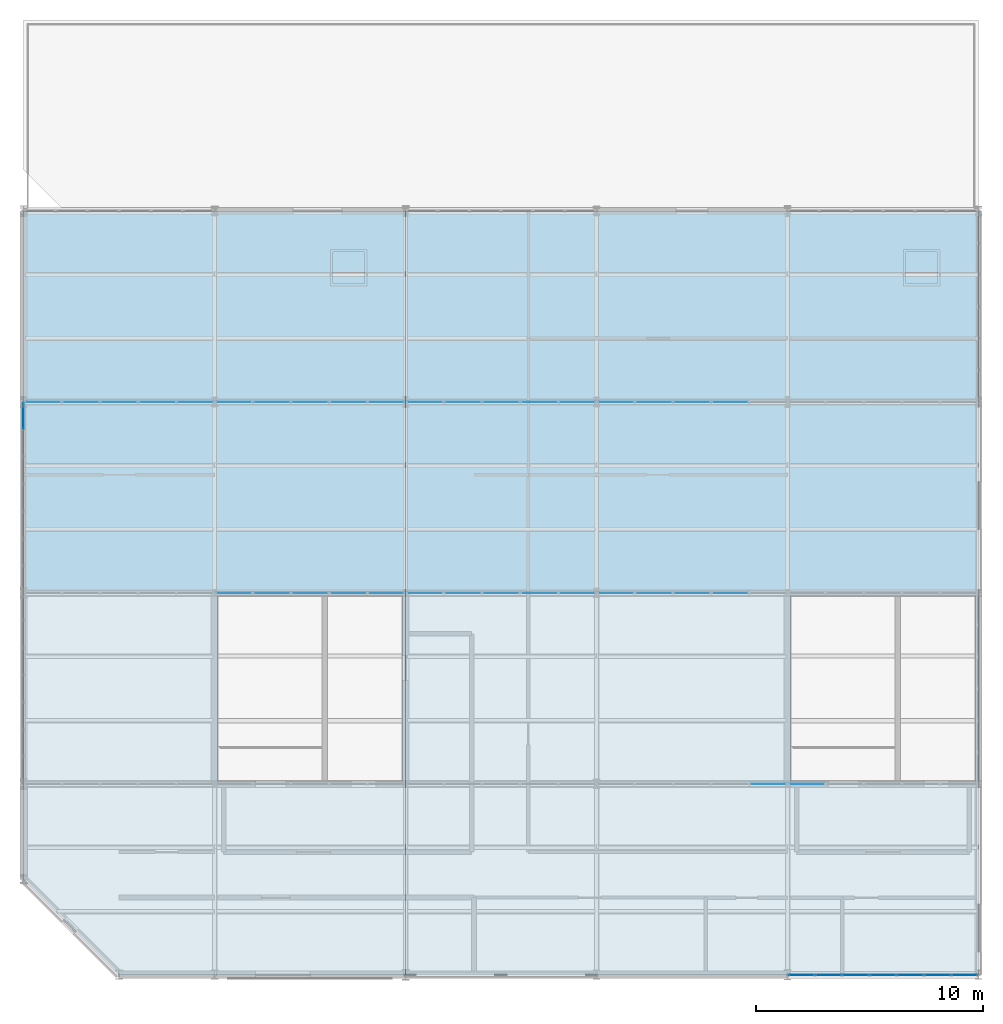
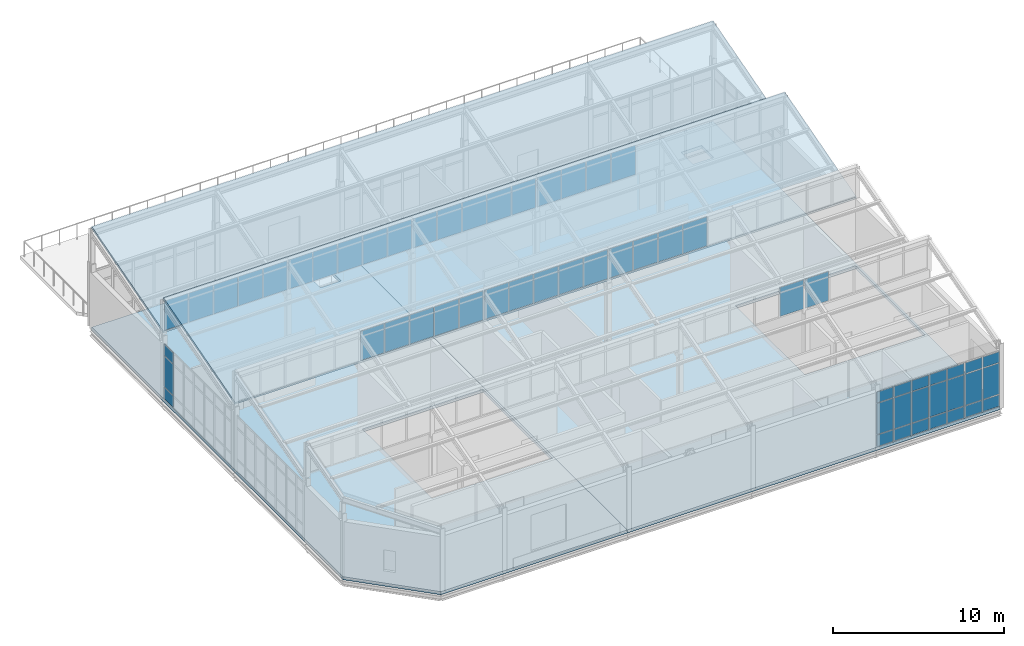
# One storey, part 47 of 53: 59 plates, 4 slabs, 11 elements without a shape of their own.
"""IFC4 building model written with IfcOpenShell, lengths in metres."""

from ifc_helpers import new_model, si_unit, direction, frame, origin, origin_2d, place, context, subcontext, project, spatial, polyline, rectangle, outline, extrude, material, layer, layer_set, type_object, element, aggregate, save


model = new_model("IFC4")

# Units and contexts
model_context = context("Model", 3, precision=1e-05, world=origin(), true_north=direction((0.0, 1.0)))
body_context = subcontext(model_context, "Body", "Model", "MODEL_VIEW")
ifc_project = project(units=[si_unit("LENGTHUNIT", "METRE"), si_unit("AREAUNIT", "SQUARE_METRE"), si_unit("VOLUMEUNIT", "CUBIC_METRE"), si_unit("PLANEANGLEUNIT", "RADIAN"), si_unit("MASSUNIT", "GRAM", prefix="KILO")], contexts=[model_context])

# Site, building, storey
site_placement = place(None, origin())
site = spatial("IfcSite", under=ifc_project, at=site_placement, CompositionType="ELEMENT")
building_placement = place(site_placement, origin())
building = spatial("IfcBuilding", under=site, at=building_placement, Name="Qalvenar Corner Mobility Hub", CompositionType="ELEMENT")
storey_placement = place(building_placement, frame((0.0, 0.0, 26.39990234375)))
storey = spatial("IfcBuildingStorey", under=building, at=storey_placement, Name="L06", CompositionType="ELEMENT", Elevation=26.39990234375)

# Curtain wall, plates
ifc_material_1 = material(Name="Anodised Aluminium and Low-E Glazing", Category="aluminium")
ifc_layer_1 = layer(ifc_material_1, 0.14990234375)
ifc_layer_set_1 = layer_set([ifc_layer_1], Name="Anodised Aluminium and Low-E Glazing")
curtain_wall_type_1 = type_object("IfcCurtainWallType", Name="CW-SPT-84X44", PredefinedType="NOTDEFINED", material=ifc_layer_set_1)
curtain_wall_1_placement = place(storey_placement, origin())
curtain_wall_1 = element("IfcCurtainWall", 1, at=curtain_wall_1_placement, inside=storey, type_object=curtain_wall_type_1, Name="Glazed Curtain Wall CW-V3-L06-S4", PredefinedType="NOTDEFINED")
ifc_material_2 = material(Name="Solar-Control Low-E Double Glazing", Category="glass")
ifc_layer_2 = layer(ifc_material_2, 0.028076171875)
ifc_layer_set_2 = layer_set([ifc_layer_2], Name="Solar-Control Low-E Double Glazing")
plate_type_1 = type_object("IfcPlateType", Name="PLT-CWP-GLZ1", PredefinedType="CURTAIN_PANEL", material=ifc_layer_set_2)
plate_1_placement = place(storey_placement, frame((34.215087890625, 0.0, 0.05517578125), z_axis=(0.0, 0.0, 1.0), x_axis=(1.0, 0.0, 0.0)))
plate_1 = element("IfcPlate", 2, at=plate_1_placement, type_object=plate_type_1, Name="CW-06 panel 1.1", PredefinedType="CURTAIN_PANEL", context=body_context, shape_type="SweptSolid", body=[
    extrude(rectangle(XDim=1.110107421875, YDim=0.028076171875, at=origin_2d()), origin(), (0.0, 0.0, 1.0), 0.8173828125),
])
plate_2_placement = place(storey_placement, frame((34.215087890625, 0.0, 0.927490234375), z_axis=(0.0, 0.0, 1.0), x_axis=(1.0, 0.0, 0.0)))
plate_2 = element("IfcPlate", 3, at=plate_2_placement, type_object=plate_type_1, Name="CW-06 panel 1.2", PredefinedType="CURTAIN_PANEL", context=body_context, shape_type="SweptSolid", body=[
    extrude(rectangle(XDim=1.110107421875, YDim=0.028076171875, at=origin_2d()), origin(), (0.0, 0.0, 1.0), 2.205078125),
])
plate_3_placement = place(storey_placement, frame((34.215087890625, 0.0, 3.1875), z_axis=(0.0, 0.0, 1.0), x_axis=(1.0, 0.0, 0.0)))
plate_3 = element("IfcPlate", 4, at=plate_3_placement, type_object=plate_type_1, Name="CW-06 panel 1.3", PredefinedType="CURTAIN_PANEL", context=body_context, shape_type="SweptSolid", body=[
    extrude(rectangle(XDim=1.110107421875, YDim=0.028076171875, at=origin_2d()), origin(), (0.0, 0.0, 1.0), 0.767578125),
])
plate_4_placement = place(storey_placement, frame((35.39990234375, 0.0, 0.05517578125), z_axis=(0.0, 0.0, 1.0), x_axis=(1.0, 0.0, 0.0)))
plate_4 = element("IfcPlate", 5, at=plate_4_placement, type_object=plate_type_1, Name="CW-06 panel 2.1", PredefinedType="CURTAIN_PANEL", context=body_context, shape_type="SweptSolid", body=[
    extrude(rectangle(XDim=1.139892578125, YDim=0.028076171875, at=origin_2d()), origin(), (0.0, 0.0, 1.0), 0.8173828125),
])
plate_5_placement = place(storey_placement, frame((35.39990234375, 0.0, 0.927490234375), z_axis=(0.0, 0.0, 1.0), x_axis=(1.0, 0.0, 0.0)))
plate_5 = element("IfcPlate", 6, at=plate_5_placement, type_object=plate_type_1, Name="CW-06 panel 2.2", PredefinedType="CURTAIN_PANEL", context=body_context, shape_type="SweptSolid", body=[
    extrude(rectangle(XDim=1.139892578125, YDim=0.028076171875, at=origin_2d()), origin(), (0.0, 0.0, 1.0), 2.205078125),
])
plate_6_placement = place(storey_placement, frame((35.39990234375, 0.0, 3.1875), z_axis=(0.0, 0.0, 1.0), x_axis=(1.0, 0.0, 0.0)))
plate_6 = element("IfcPlate", 7, at=plate_6_placement, type_object=plate_type_1, Name="CW-06 panel 2.3", PredefinedType="CURTAIN_PANEL", context=body_context, shape_type="SweptSolid", body=[
    extrude(rectangle(XDim=1.139892578125, YDim=0.028076171875, at=origin_2d()), origin(), (0.0, 0.0, 1.0), 0.767578125),
])
plate_7_placement = place(storey_placement, frame((36.60009765625, 0.0, 0.05517578125), z_axis=(0.0, 0.0, 1.0), x_axis=(1.0, 0.0, 0.0)))
plate_7 = element("IfcPlate", 8, at=plate_7_placement, type_object=plate_type_1, Name="CW-06 panel 3.1", PredefinedType="CURTAIN_PANEL", context=body_context, shape_type="SweptSolid", body=[
    extrude(rectangle(XDim=1.139892578125, YDim=0.028076171875, at=origin_2d()), origin(), (0.0, 0.0, 1.0), 0.8173828125),
])
plate_8_placement = place(storey_placement, frame((36.60009765625, 0.0, 0.927490234375), z_axis=(0.0, 0.0, 1.0), x_axis=(1.0, 0.0, 0.0)))
plate_8 = element("IfcPlate", 9, at=plate_8_placement, type_object=plate_type_1, Name="CW-06 panel 3.2", PredefinedType="CURTAIN_PANEL", context=body_context, shape_type="SweptSolid", body=[
    extrude(rectangle(XDim=1.139892578125, YDim=0.028076171875, at=origin_2d()), origin(), (0.0, 0.0, 1.0), 2.205078125),
])
plate_9_placement = place(storey_placement, frame((36.60009765625, 0.0, 3.1875), z_axis=(0.0, 0.0, 1.0), x_axis=(1.0, 0.0, 0.0)))
plate_9 = element("IfcPlate", 10, at=plate_9_placement, type_object=plate_type_1, Name="CW-06 panel 3.3", PredefinedType="CURTAIN_PANEL", context=body_context, shape_type="SweptSolid", body=[
    extrude(rectangle(XDim=1.139892578125, YDim=0.028076171875, at=origin_2d()), origin(), (0.0, 0.0, 1.0), 0.767578125),
])
plate_10_placement = place(storey_placement, frame((37.800048828125, 0.0, 0.05517578125), z_axis=(0.0, 0.0, 1.0), x_axis=(1.0, 0.0, 0.0)))
plate_10 = element("IfcPlate", 11, at=plate_10_placement, type_object=plate_type_1, Name="CW-06 panel 4.1", PredefinedType="CURTAIN_PANEL", context=body_context, shape_type="SweptSolid", body=[
    extrude(rectangle(XDim=1.139892578125, YDim=0.028076171875, at=origin_2d()), origin(), (0.0, 0.0, 1.0), 0.8173828125),
])
plate_11_placement = place(storey_placement, frame((37.800048828125, 0.0, 0.927490234375), z_axis=(0.0, 0.0, 1.0), x_axis=(1.0, 0.0, 0.0)))
plate_11 = element("IfcPlate", 12, at=plate_11_placement, type_object=plate_type_1, Name="CW-06 panel 4.2", PredefinedType="CURTAIN_PANEL", context=body_context, shape_type="SweptSolid", body=[
    extrude(rectangle(XDim=1.139892578125, YDim=0.028076171875, at=origin_2d()), origin(), (0.0, 0.0, 1.0), 2.205078125),
])
plate_12_placement = place(storey_placement, frame((37.800048828125, 0.0, 3.1875), z_axis=(0.0, 0.0, 1.0), x_axis=(1.0, 0.0, 0.0)))
plate_12 = element("IfcPlate", 13, at=plate_12_placement, type_object=plate_type_1, Name="CW-06 panel 4.3", PredefinedType="CURTAIN_PANEL", context=body_context, shape_type="SweptSolid", body=[
    extrude(rectangle(XDim=1.139892578125, YDim=0.028076171875, at=origin_2d()), origin(), (0.0, 0.0, 1.0), 0.767578125),
])
plate_13_placement = place(storey_placement, frame((39.0, 0.0, 0.05517578125), z_axis=(0.0, 0.0, 1.0), x_axis=(1.0, 0.0, 0.0)))
plate_13 = element("IfcPlate", 14, at=plate_13_placement, type_object=plate_type_1, Name="CW-06 panel 5.1", PredefinedType="CURTAIN_PANEL", context=body_context, shape_type="SweptSolid", body=[
    extrude(rectangle(XDim=1.139892578125, YDim=0.028076171875, at=origin_2d()), origin(), (0.0, 0.0, 1.0), 0.8173828125),
])
plate_14_placement = place(storey_placement, frame((39.0, 0.0, 0.927490234375), z_axis=(0.0, 0.0, 1.0), x_axis=(1.0, 0.0, 0.0)))
plate_14 = element("IfcPlate", 15, at=plate_14_placement, type_object=plate_type_1, Name="CW-06 panel 5.2", PredefinedType="CURTAIN_PANEL", context=body_context, shape_type="SweptSolid", body=[
    extrude(rectangle(XDim=1.139892578125, YDim=0.028076171875, at=origin_2d()), origin(), (0.0, 0.0, 1.0), 2.205078125),
])
plate_15_placement = place(storey_placement, frame((39.0, 0.0, 3.1875), z_axis=(0.0, 0.0, 1.0), x_axis=(1.0, 0.0, 0.0)))
plate_15 = element("IfcPlate", 16, at=plate_15_placement, type_object=plate_type_1, Name="CW-06 panel 5.3", PredefinedType="CURTAIN_PANEL", context=body_context, shape_type="SweptSolid", body=[
    extrude(rectangle(XDim=1.139892578125, YDim=0.028076171875, at=origin_2d()), origin(), (0.0, 0.0, 1.0), 0.767578125),
])
plate_16_placement = place(storey_placement, frame((40.199951171875, 0.0, 0.05517578125), z_axis=(0.0, 0.0, 1.0), x_axis=(1.0, 0.0, 0.0)))
plate_16 = element("IfcPlate", 17, at=plate_16_placement, type_object=plate_type_1, Name="CW-06 panel 6.1", PredefinedType="CURTAIN_PANEL", context=body_context, shape_type="SweptSolid", body=[
    extrude(rectangle(XDim=1.139892578125, YDim=0.028076171875, at=origin_2d()), origin(), (0.0, 0.0, 1.0), 0.8173828125),
])
plate_17_placement = place(storey_placement, frame((40.199951171875, 0.0, 0.927490234375), z_axis=(0.0, 0.0, 1.0), x_axis=(1.0, 0.0, 0.0)))
plate_17 = element("IfcPlate", 18, at=plate_17_placement, type_object=plate_type_1, Name="CW-06 panel 6.2", PredefinedType="CURTAIN_PANEL", context=body_context, shape_type="SweptSolid", body=[
    extrude(rectangle(XDim=1.139892578125, YDim=0.028076171875, at=origin_2d()), origin(), (0.0, 0.0, 1.0), 2.205078125),
])
plate_18_placement = place(storey_placement, frame((40.199951171875, 0.0, 3.1875), z_axis=(0.0, 0.0, 1.0), x_axis=(1.0, 0.0, 0.0)))
plate_18 = element("IfcPlate", 19, at=plate_18_placement, type_object=plate_type_1, Name="CW-06 panel 6.3", PredefinedType="CURTAIN_PANEL", context=body_context, shape_type="SweptSolid", body=[
    extrude(rectangle(XDim=1.139892578125, YDim=0.028076171875, at=origin_2d()), origin(), (0.0, 0.0, 1.0), 0.767578125),
])
plate_19_placement = place(storey_placement, frame((41.385009765625, 0.0, 0.05517578125), z_axis=(0.0, 0.0, 1.0), x_axis=(1.0, 0.0, 0.0)))
plate_19 = element("IfcPlate", 20, at=plate_19_placement, type_object=plate_type_1, Name="CW-06 panel 7.1", PredefinedType="CURTAIN_PANEL", context=body_context, shape_type="SweptSolid", body=[
    extrude(rectangle(XDim=1.110107421875, YDim=0.028076171875, at=origin_2d()), origin(), (0.0, 0.0, 1.0), 0.8173828125),
])
plate_20_placement = place(storey_placement, frame((41.385009765625, 0.0, 0.927490234375), z_axis=(0.0, 0.0, 1.0), x_axis=(1.0, 0.0, 0.0)))
plate_20 = element("IfcPlate", 21, at=plate_20_placement, type_object=plate_type_1, Name="CW-06 panel 7.2", PredefinedType="CURTAIN_PANEL", context=body_context, shape_type="SweptSolid", body=[
    extrude(rectangle(XDim=1.110107421875, YDim=0.028076171875, at=origin_2d()), origin(), (0.0, 0.0, 1.0), 2.205078125),
])
plate_21_placement = place(storey_placement, frame((41.385009765625, 0.0, 3.1875), z_axis=(0.0, 0.0, 1.0), x_axis=(1.0, 0.0, 0.0)))
plate_21 = element("IfcPlate", 22, at=plate_21_placement, type_object=plate_type_1, Name="CW-06 panel 7.3", PredefinedType="CURTAIN_PANEL", context=body_context, shape_type="SweptSolid", body=[
    extrude(rectangle(XDim=1.110107421875, YDim=0.028076171875, at=origin_2d()), origin(), (0.0, 0.0, 1.0), 0.767578125),
])
aggregate(curtain_wall_1, [plate_1, plate_2, plate_3, plate_4, plate_5, plate_6, plate_7, plate_8, plate_9, plate_10, plate_11, plate_12, plate_13, plate_14, plate_15, plate_16, plate_17, plate_18, plate_19, plate_20, plate_21])

ifc_layer_3 = layer(ifc_material_1, 0.14990234375)
ifc_layer_set_3 = layer_set([ifc_layer_3], Name="Anodised Aluminium and Low-E Glazing")
curtain_wall_type_2 = type_object("IfcCurtainWallType", Name="CW-CIV-84X40", PredefinedType="NOTDEFINED", material=ifc_layer_set_3)
curtain_wall_2_placement = place(storey_placement, origin())
curtain_wall_2 = element("IfcCurtainWall", 23, at=curtain_wall_2_placement, inside=storey, type_object=curtain_wall_type_2, Name="Glazed Curtain Wall CW-V3-L06-W2", PredefinedType="NOTDEFINED")
plate_22_placement = place(storey_placement, frame((0.0, 24.5849609375, 0.05517578125), z_axis=(0.0, 0.0, 1.0), x_axis=(0.0, -1.0, 0.0)))
plate_22 = element("IfcPlate", 24, at=plate_22_placement, type_object=plate_type_1, Name="CW-05 panel 1.1", PredefinedType="CURTAIN_PANEL", context=body_context, shape_type="SweptSolid", body=[
    extrude(rectangle(XDim=1.110107421875, YDim=0.028076171875, at=origin_2d()), origin(), (0.0, 0.0, 1.0), 0.8173828125),
])
plate_23_placement = place(storey_placement, frame((0.0, 24.5849609375, 0.927490234375), z_axis=(0.0, 0.0, 1.0), x_axis=(0.0, -1.0, 0.0)))
plate_23 = element("IfcPlate", 25, at=plate_23_placement, type_object=plate_type_1, Name="CW-05 panel 1.2", PredefinedType="CURTAIN_PANEL", context=body_context, shape_type="SweptSolid", body=[
    extrude(rectangle(XDim=1.110107421875, YDim=0.028076171875, at=origin_2d()), origin(), (0.0, 0.0, 1.0), 2.205078125),
])
plate_24_placement = place(storey_placement, frame((0.0, 24.5849609375, 3.1875), z_axis=(0.0, 0.0, 1.0), x_axis=(0.0, -1.0, 0.0)))
plate_24 = element("IfcPlate", 26, at=plate_24_placement, type_object=plate_type_1, Name="CW-05 panel 1.3", PredefinedType="CURTAIN_PANEL", context=body_context, shape_type="SweptSolid", body=[
    extrude(rectangle(XDim=1.110107421875, YDim=0.028076171875, at=origin_2d()), origin(), (0.0, 0.0, 1.0), 0.767578125),
])
aggregate(curtain_wall_2, [plate_22, plate_23, plate_24])

# Curtain wall, plate
ifc_layer_4 = layer(ifc_material_1, 0.1201171875)
ifc_layer_set_4 = layer_set([ifc_layer_4], Name="Anodised Aluminium and Low-E Glazing")
curtain_wall_type_3 = type_object("IfcCurtainWallType", Name="CW-CLR-84X24", PredefinedType="NOTDEFINED", material=ifc_layer_set_4)
curtain_wall_3_placement = place(storey_placement, origin())
curtain_wall_3 = element("IfcCurtainWall", 27, at=curtain_wall_3_placement, inside=storey, type_object=curtain_wall_type_3, Name="Glazed Curtain Wall CW-V3-SAW-1-3", PredefinedType="NOTDEFINED")
plate_25_placement = place(storey_placement, frame((32.7451171875, 8.39990234375, 4.85498046875), z_axis=(0.0, 0.0, 1.0), x_axis=(-1.0, 0.0, 0.0)))
plate_25 = element("IfcPlate", 28, at=plate_25_placement, type_object=plate_type_1, Name="CW-12 panel 1.1", PredefinedType="CURTAIN_PANEL", context=body_context, shape_type="SweptSolid", body=[
    extrude(rectangle(XDim=1.590087890625, YDim=0.028076171875, at=origin_2d()), origin(), (0.0, 0.0, 1.0), 2.090087890625),
])
aggregate(curtain_wall_3, [plate_25])

curtain_wall_4_placement = place(storey_placement, origin())
curtain_wall_4 = element("IfcCurtainWall", 29, at=curtain_wall_4_placement, inside=storey, type_object=curtain_wall_type_3, Name="Glazed Curtain Wall CW-V3-SAW-1-4", PredefinedType="NOTDEFINED")
plate_26_placement = place(storey_placement, frame((34.455078125, 8.39990234375, 4.85498046875), z_axis=(0.0, 0.0, 1.0), x_axis=(-1.0, 0.0, 0.0)))
plate_26 = element("IfcPlate", 30, at=plate_26_placement, type_object=plate_type_1, Name="CW-12 panel 5.1", PredefinedType="CURTAIN_PANEL", context=body_context, shape_type="SweptSolid", body=[
    extrude(rectangle(XDim=1.590087890625, YDim=0.028076171875, at=origin_2d()), origin(), (0.0, 0.0, 1.0), 2.090087890625),
])
aggregate(curtain_wall_4, [plate_26])

# Curtain wall, plates
curtain_wall_5_placement = place(storey_placement, origin())
curtain_wall_5 = element("IfcCurtainWall", 31, at=curtain_wall_5_placement, inside=storey, type_object=curtain_wall_type_3, Name="Glazed Curtain Wall CW-V3-SAW-2-1", PredefinedType="NOTDEFINED")
plate_27_placement = place(storey_placement, frame((15.945068359375, 16.800048828125, 4.85498046875), z_axis=(0.0, 0.0, 1.0), x_axis=(-1.0, 0.0, 0.0)))
plate_27 = element("IfcPlate", 32, at=plate_27_placement, type_object=plate_type_1, Name="CW-12 panel 1.1", PredefinedType="CURTAIN_PANEL", context=body_context, shape_type="SweptSolid", body=[
    extrude(rectangle(XDim=1.590087890625, YDim=0.028076171875, at=origin_2d()), origin(), (0.0, 0.0, 1.0), 2.090087890625),
])
plate_28_placement = place(storey_placement, frame((14.280029296875, 16.800048828125, 4.85498046875), z_axis=(0.0, 0.0, 1.0), x_axis=(-1.0, 0.0, 0.0)))
plate_28 = element("IfcPlate", 33, at=plate_28_placement, type_object=plate_type_1, Name="CW-12 panel 2.1", PredefinedType="CURTAIN_PANEL", context=body_context, shape_type="SweptSolid", body=[
    extrude(rectangle(XDim=1.6201171875, YDim=0.028076171875, at=origin_2d()), origin(), (0.0, 0.0, 1.0), 2.090087890625),
])
plate_29_placement = place(storey_placement, frame((12.60009765625, 16.800048828125, 4.85498046875), z_axis=(0.0, 0.0, 1.0), x_axis=(-1.0, 0.0, 0.0)))
plate_29 = element("IfcPlate", 34, at=plate_29_placement, type_object=plate_type_1, Name="CW-12 panel 3.1", PredefinedType="CURTAIN_PANEL", context=body_context, shape_type="SweptSolid", body=[
    extrude(rectangle(XDim=1.6201171875, YDim=0.028076171875, at=origin_2d()), origin(), (0.0, 0.0, 1.0), 2.090087890625),
])
plate_30_placement = place(storey_placement, frame((10.919921875, 16.800048828125, 4.85498046875), z_axis=(0.0, 0.0, 1.0), x_axis=(-1.0, 0.0, 0.0)))
plate_30 = element("IfcPlate", 35, at=plate_30_placement, type_object=plate_type_1, Name="CW-12 panel 4.1", PredefinedType="CURTAIN_PANEL", context=body_context, shape_type="SweptSolid", body=[
    extrude(rectangle(XDim=1.6201171875, YDim=0.028076171875, at=origin_2d()), origin(), (0.0, 0.0, 1.0), 2.090087890625),
])
plate_31_placement = place(storey_placement, frame((9.2548828125, 16.800048828125, 4.85498046875), z_axis=(0.0, 0.0, 1.0), x_axis=(-1.0, 0.0, 0.0)))
plate_31 = element("IfcPlate", 36, at=plate_31_placement, type_object=plate_type_1, Name="CW-12 panel 5.1", PredefinedType="CURTAIN_PANEL", context=body_context, shape_type="SweptSolid", body=[
    extrude(rectangle(XDim=1.590087890625, YDim=0.028076171875, at=origin_2d()), origin(), (0.0, 0.0, 1.0), 2.090087890625),
])
aggregate(curtain_wall_5, [plate_27, plate_28, plate_29, plate_30, plate_31])

curtain_wall_6_placement = place(storey_placement, origin())
curtain_wall_6 = element("IfcCurtainWall", 37, at=curtain_wall_6_placement, inside=storey, type_object=curtain_wall_type_3, Name="Glazed Curtain Wall CW-V3-SAW-2-3", PredefinedType="NOTDEFINED")
plate_32_placement = place(storey_placement, frame((31.080078125, 16.800048828125, 4.85498046875), z_axis=(0.0, 0.0, 1.0), x_axis=(-1.0, 0.0, 0.0)))
plate_32 = element("IfcPlate", 38, at=plate_32_placement, type_object=plate_type_1, Name="CW-12 panel 2.1", PredefinedType="CURTAIN_PANEL", context=body_context, shape_type="SweptSolid", body=[
    extrude(rectangle(XDim=1.6201171875, YDim=0.028076171875, at=origin_2d()), origin(), (0.0, 0.0, 1.0), 2.090087890625),
])
plate_33_placement = place(storey_placement, frame((29.39990234375, 16.800048828125, 4.85498046875), z_axis=(0.0, 0.0, 1.0), x_axis=(-1.0, 0.0, 0.0)))
plate_33 = element("IfcPlate", 39, at=plate_33_placement, type_object=plate_type_1, Name="CW-12 panel 3.1", PredefinedType="CURTAIN_PANEL", context=body_context, shape_type="SweptSolid", body=[
    extrude(rectangle(XDim=1.6201171875, YDim=0.028076171875, at=origin_2d()), origin(), (0.0, 0.0, 1.0), 2.090087890625),
])
plate_34_placement = place(storey_placement, frame((27.719970703125, 16.800048828125, 4.85498046875), z_axis=(0.0, 0.0, 1.0), x_axis=(-1.0, 0.0, 0.0)))
plate_34 = element("IfcPlate", 40, at=plate_34_placement, type_object=plate_type_1, Name="CW-12 panel 4.1", PredefinedType="CURTAIN_PANEL", context=body_context, shape_type="SweptSolid", body=[
    extrude(rectangle(XDim=1.6201171875, YDim=0.028076171875, at=origin_2d()), origin(), (0.0, 0.0, 1.0), 2.090087890625),
])
plate_35_placement = place(storey_placement, frame((26.054931640625, 16.800048828125, 4.85498046875), z_axis=(0.0, 0.0, 1.0), x_axis=(-1.0, 0.0, 0.0)))
plate_35 = element("IfcPlate", 41, at=plate_35_placement, type_object=plate_type_1, Name="CW-12 panel 5.1", PredefinedType="CURTAIN_PANEL", context=body_context, shape_type="SweptSolid", body=[
    extrude(rectangle(XDim=1.590087890625, YDim=0.028076171875, at=origin_2d()), origin(), (0.0, 0.0, 1.0), 2.090087890625),
])
aggregate(curtain_wall_6, [plate_32, plate_33, plate_34, plate_35])

curtain_wall_7_placement = place(storey_placement, origin())
curtain_wall_7 = element("IfcCurtainWall", 42, at=curtain_wall_7_placement, inside=storey, type_object=curtain_wall_type_3, Name="Glazed Curtain Wall CW-V3-SAW-3-0", PredefinedType="NOTDEFINED")
plate_36_placement = place(storey_placement, frame((7.544921875, 25.199951171875, 4.85498046875), z_axis=(0.0, 0.0, 1.0), x_axis=(-1.0, 0.0, 0.0)))
plate_36 = element("IfcPlate", 43, at=plate_36_placement, type_object=plate_type_1, Name="CW-12 panel 1.1", PredefinedType="CURTAIN_PANEL", context=body_context, shape_type="SweptSolid", body=[
    extrude(rectangle(XDim=1.590087890625, YDim=0.028076171875, at=origin_2d()), origin(), (0.0, 0.0, 1.0), 2.090087890625),
])
plate_37_placement = place(storey_placement, frame((5.8798828125, 25.199951171875, 4.85498046875), z_axis=(0.0, 0.0, 1.0), x_axis=(-1.0, 0.0, 0.0)))
plate_37 = element("IfcPlate", 44, at=plate_37_placement, type_object=plate_type_1, Name="CW-12 panel 2.1", PredefinedType="CURTAIN_PANEL", context=body_context, shape_type="SweptSolid", body=[
    extrude(rectangle(XDim=1.6201171875, YDim=0.028076171875, at=origin_2d()), origin(), (0.0, 0.0, 1.0), 2.090087890625),
])
plate_38_placement = place(storey_placement, frame((4.199951171875, 25.199951171875, 4.85498046875), z_axis=(0.0, 0.0, 1.0), x_axis=(-1.0, 0.0, 0.0)))
plate_38 = element("IfcPlate", 45, at=plate_38_placement, type_object=plate_type_1, Name="CW-12 panel 3.1", PredefinedType="CURTAIN_PANEL", context=body_context, shape_type="SweptSolid", body=[
    extrude(rectangle(XDim=1.6201171875, YDim=0.028076171875, at=origin_2d()), origin(), (0.0, 0.0, 1.0), 2.090087890625),
])
plate_39_placement = place(storey_placement, frame((2.52001953125, 25.199951171875, 4.85498046875), z_axis=(0.0, 0.0, 1.0), x_axis=(-1.0, 0.0, 0.0)))
plate_39 = element("IfcPlate", 46, at=plate_39_placement, type_object=plate_type_1, Name="CW-12 panel 4.1", PredefinedType="CURTAIN_PANEL", context=body_context, shape_type="SweptSolid", body=[
    extrude(rectangle(XDim=1.6201171875, YDim=0.028076171875, at=origin_2d()), origin(), (0.0, 0.0, 1.0), 2.090087890625),
])
plate_40_placement = place(storey_placement, frame((0.85498046875, 25.199951171875, 4.85498046875), z_axis=(0.0, 0.0, 1.0), x_axis=(-1.0, 0.0, 0.0)))
plate_40 = element("IfcPlate", 47, at=plate_40_placement, type_object=plate_type_1, Name="CW-12 panel 5.1", PredefinedType="CURTAIN_PANEL", context=body_context, shape_type="SweptSolid", body=[
    extrude(rectangle(XDim=1.590087890625, YDim=0.028076171875, at=origin_2d()), origin(), (0.0, 0.0, 1.0), 2.090087890625),
])
aggregate(curtain_wall_7, [plate_36, plate_37, plate_38, plate_39, plate_40])

curtain_wall_8_placement = place(storey_placement, origin())
curtain_wall_8 = element("IfcCurtainWall", 48, at=curtain_wall_8_placement, inside=storey, type_object=curtain_wall_type_3, Name="Glazed Curtain Wall CW-V3-SAW-3-1", PredefinedType="NOTDEFINED")
plate_41_placement = place(storey_placement, frame((15.945068359375, 25.199951171875, 4.85498046875), z_axis=(0.0, 0.0, 1.0), x_axis=(-1.0, 0.0, 0.0)))
plate_41 = element("IfcPlate", 49, at=plate_41_placement, type_object=plate_type_1, Name="CW-12 panel 1.1", PredefinedType="CURTAIN_PANEL", context=body_context, shape_type="SweptSolid", body=[
    extrude(rectangle(XDim=1.590087890625, YDim=0.028076171875, at=origin_2d()), origin(), (0.0, 0.0, 1.0), 2.090087890625),
])
plate_42_placement = place(storey_placement, frame((14.280029296875, 25.199951171875, 4.85498046875), z_axis=(0.0, 0.0, 1.0), x_axis=(-1.0, 0.0, 0.0)))
plate_42 = element("IfcPlate", 50, at=plate_42_placement, type_object=plate_type_1, Name="CW-12 panel 2.1", PredefinedType="CURTAIN_PANEL", context=body_context, shape_type="SweptSolid", body=[
    extrude(rectangle(XDim=1.6201171875, YDim=0.028076171875, at=origin_2d()), origin(), (0.0, 0.0, 1.0), 2.090087890625),
])
plate_43_placement = place(storey_placement, frame((12.60009765625, 25.199951171875, 4.85498046875), z_axis=(0.0, 0.0, 1.0), x_axis=(-1.0, 0.0, 0.0)))
plate_43 = element("IfcPlate", 51, at=plate_43_placement, type_object=plate_type_1, Name="CW-12 panel 3.1", PredefinedType="CURTAIN_PANEL", context=body_context, shape_type="SweptSolid", body=[
    extrude(rectangle(XDim=1.6201171875, YDim=0.028076171875, at=origin_2d()), origin(), (0.0, 0.0, 1.0), 2.090087890625),
])
plate_44_placement = place(storey_placement, frame((10.919921875, 25.199951171875, 4.85498046875), z_axis=(0.0, 0.0, 1.0), x_axis=(-1.0, 0.0, 0.0)))
plate_44 = element("IfcPlate", 52, at=plate_44_placement, type_object=plate_type_1, Name="CW-12 panel 4.1", PredefinedType="CURTAIN_PANEL", context=body_context, shape_type="SweptSolid", body=[
    extrude(rectangle(XDim=1.6201171875, YDim=0.028076171875, at=origin_2d()), origin(), (0.0, 0.0, 1.0), 2.090087890625),
])
plate_45_placement = place(storey_placement, frame((9.2548828125, 25.199951171875, 4.85498046875), z_axis=(0.0, 0.0, 1.0), x_axis=(-1.0, 0.0, 0.0)))
plate_45 = element("IfcPlate", 53, at=plate_45_placement, type_object=plate_type_1, Name="CW-12 panel 5.1", PredefinedType="CURTAIN_PANEL", context=body_context, shape_type="SweptSolid", body=[
    extrude(rectangle(XDim=1.590087890625, YDim=0.028076171875, at=origin_2d()), origin(), (0.0, 0.0, 1.0), 2.090087890625),
])
aggregate(curtain_wall_8, [plate_41, plate_42, plate_43, plate_44, plate_45])

curtain_wall_9_placement = place(storey_placement, origin())
curtain_wall_9 = element("IfcCurtainWall", 54, at=curtain_wall_9_placement, inside=storey, type_object=curtain_wall_type_3, Name="Glazed Curtain Wall CW-V3-SAW-3-3", PredefinedType="NOTDEFINED")
plate_46_placement = place(storey_placement, frame((31.080078125, 25.199951171875, 4.85498046875), z_axis=(0.0, 0.0, 1.0), x_axis=(-1.0, 0.0, 0.0)))
plate_46 = element("IfcPlate", 55, at=plate_46_placement, type_object=plate_type_1, Name="CW-12 panel 2.1", PredefinedType="CURTAIN_PANEL", context=body_context, shape_type="SweptSolid", body=[
    extrude(rectangle(XDim=1.6201171875, YDim=0.028076171875, at=origin_2d()), origin(), (0.0, 0.0, 1.0), 2.090087890625),
])
plate_47_placement = place(storey_placement, frame((29.39990234375, 25.199951171875, 4.85498046875), z_axis=(0.0, 0.0, 1.0), x_axis=(-1.0, 0.0, 0.0)))
plate_47 = element("IfcPlate", 56, at=plate_47_placement, type_object=plate_type_1, Name="CW-12 panel 3.1", PredefinedType="CURTAIN_PANEL", context=body_context, shape_type="SweptSolid", body=[
    extrude(rectangle(XDim=1.6201171875, YDim=0.028076171875, at=origin_2d()), origin(), (0.0, 0.0, 1.0), 2.090087890625),
])
plate_48_placement = place(storey_placement, frame((27.719970703125, 25.199951171875, 4.85498046875), z_axis=(0.0, 0.0, 1.0), x_axis=(-1.0, 0.0, 0.0)))
plate_48 = element("IfcPlate", 57, at=plate_48_placement, type_object=plate_type_1, Name="CW-12 panel 4.1", PredefinedType="CURTAIN_PANEL", context=body_context, shape_type="SweptSolid", body=[
    extrude(rectangle(XDim=1.6201171875, YDim=0.028076171875, at=origin_2d()), origin(), (0.0, 0.0, 1.0), 2.090087890625),
])
plate_49_placement = place(storey_placement, frame((26.054931640625, 25.199951171875, 4.85498046875), z_axis=(0.0, 0.0, 1.0), x_axis=(-1.0, 0.0, 0.0)))
plate_49 = element("IfcPlate", 58, at=plate_49_placement, type_object=plate_type_1, Name="CW-12 panel 5.1", PredefinedType="CURTAIN_PANEL", context=body_context, shape_type="SweptSolid", body=[
    extrude(rectangle(XDim=1.590087890625, YDim=0.028076171875, at=origin_2d()), origin(), (0.0, 0.0, 1.0), 2.090087890625),
])
aggregate(curtain_wall_9, [plate_46, plate_47, plate_48, plate_49])

curtain_wall_10_placement = place(storey_placement, origin())
curtain_wall_10 = element("IfcCurtainWall", 59, at=curtain_wall_10_placement, inside=storey, type_object=curtain_wall_type_3, Name="Glazed Curtain Wall CW-V3-SAW-2-2", PredefinedType="NOTDEFINED")
ifc_material_3 = material(Name="Insulated Faience-Enamel Spandrel Panel", Category="aluminium")
ifc_layer_5 = layer(ifc_material_3, 0.044921875)
ifc_layer_set_5 = layer_set([ifc_layer_5], Name="Insulated Faience-Enamel Spandrel Panel")
plate_type_2 = type_object("IfcPlateType", Name="PLT-CWP-SPN1", PredefinedType="CURTAIN_PANEL", material=ifc_layer_set_5)
plate_50_placement = place(storey_placement, frame((24.344970703125, 16.800048828125, 4.85498046875), z_axis=(0.0, 0.0, 1.0), x_axis=(-1.0, 0.0, 0.0)))
plate_50 = element("IfcPlate", 60, at=plate_50_placement, type_object=plate_type_2, Name="CW-12 panel 1.1", PredefinedType="CURTAIN_PANEL", context=body_context, shape_type="SweptSolid", body=[
    extrude(rectangle(XDim=1.590087890625, YDim=0.02587890625, at=origin_2d()), origin(), (0.0, 0.0, 1.0), 2.090087890625),
])
plate_51_placement = place(storey_placement, frame((22.679931640625, 16.800048828125, 4.85498046875), z_axis=(0.0, 0.0, 1.0), x_axis=(-1.0, 0.0, 0.0)))
plate_51 = element("IfcPlate", 61, at=plate_51_placement, type_object=plate_type_2, Name="CW-12 panel 2.1", PredefinedType="CURTAIN_PANEL", context=body_context, shape_type="SweptSolid", body=[
    extrude(rectangle(XDim=1.6201171875, YDim=0.02587890625, at=origin_2d()), origin(), (0.0, 0.0, 1.0), 2.090087890625),
])
plate_52_placement = place(storey_placement, frame((21.0, 16.800048828125, 4.85498046875), z_axis=(0.0, 0.0, 1.0), x_axis=(-1.0, 0.0, 0.0)))
plate_52 = element("IfcPlate", 62, at=plate_52_placement, type_object=plate_type_2, Name="CW-12 panel 3.1", PredefinedType="CURTAIN_PANEL", context=body_context, shape_type="SweptSolid", body=[
    extrude(rectangle(XDim=1.6201171875, YDim=0.02587890625, at=origin_2d()), origin(), (0.0, 0.0, 1.0), 2.090087890625),
])
plate_53_placement = place(storey_placement, frame((19.320068359375, 16.800048828125, 4.85498046875), z_axis=(0.0, 0.0, 1.0), x_axis=(-1.0, 0.0, 0.0)))
plate_53 = element("IfcPlate", 63, at=plate_53_placement, type_object=plate_type_2, Name="CW-12 panel 4.1", PredefinedType="CURTAIN_PANEL", context=body_context, shape_type="SweptSolid", body=[
    extrude(rectangle(XDim=1.6201171875, YDim=0.02587890625, at=origin_2d()), origin(), (0.0, 0.0, 1.0), 2.090087890625),
])
plate_54_placement = place(storey_placement, frame((17.655029296875, 16.800048828125, 4.85498046875), z_axis=(0.0, 0.0, 1.0), x_axis=(-1.0, 0.0, 0.0)))
plate_54 = element("IfcPlate", 64, at=plate_54_placement, type_object=plate_type_2, Name="CW-12 panel 5.1", PredefinedType="CURTAIN_PANEL", context=body_context, shape_type="SweptSolid", body=[
    extrude(rectangle(XDim=1.590087890625, YDim=0.02587890625, at=origin_2d()), origin(), (0.0, 0.0, 1.0), 2.090087890625),
])
aggregate(curtain_wall_10, [plate_50, plate_51, plate_52, plate_53, plate_54])

curtain_wall_11_placement = place(storey_placement, origin())
curtain_wall_11 = element("IfcCurtainWall", 65, at=curtain_wall_11_placement, inside=storey, type_object=curtain_wall_type_3, Name="Glazed Curtain Wall CW-V3-SAW-3-2", PredefinedType="NOTDEFINED")
plate_55_placement = place(storey_placement, frame((24.344970703125, 25.199951171875, 4.85498046875), z_axis=(0.0, 0.0, 1.0), x_axis=(-1.0, 0.0, 0.0)))
plate_55 = element("IfcPlate", 66, at=plate_55_placement, type_object=plate_type_2, Name="CW-12 panel 1.1", PredefinedType="CURTAIN_PANEL", context=body_context, shape_type="SweptSolid", body=[
    extrude(rectangle(XDim=1.590087890625, YDim=0.02587890625, at=origin_2d()), origin(), (0.0, 0.0, 1.0), 2.090087890625),
])
plate_56_placement = place(storey_placement, frame((22.679931640625, 25.199951171875, 4.85498046875), z_axis=(0.0, 0.0, 1.0), x_axis=(-1.0, 0.0, 0.0)))
plate_56 = element("IfcPlate", 67, at=plate_56_placement, type_object=plate_type_2, Name="CW-12 panel 2.1", PredefinedType="CURTAIN_PANEL", context=body_context, shape_type="SweptSolid", body=[
    extrude(rectangle(XDim=1.6201171875, YDim=0.02587890625, at=origin_2d()), origin(), (0.0, 0.0, 1.0), 2.090087890625),
])
plate_57_placement = place(storey_placement, frame((21.0, 25.199951171875, 4.85498046875), z_axis=(0.0, 0.0, 1.0), x_axis=(-1.0, 0.0, 0.0)))
plate_57 = element("IfcPlate", 68, at=plate_57_placement, type_object=plate_type_2, Name="CW-12 panel 3.1", PredefinedType="CURTAIN_PANEL", context=body_context, shape_type="SweptSolid", body=[
    extrude(rectangle(XDim=1.6201171875, YDim=0.02587890625, at=origin_2d()), origin(), (0.0, 0.0, 1.0), 2.090087890625),
])
plate_58_placement = place(storey_placement, frame((19.320068359375, 25.199951171875, 4.85498046875), z_axis=(0.0, 0.0, 1.0), x_axis=(-1.0, 0.0, 0.0)))
plate_58 = element("IfcPlate", 69, at=plate_58_placement, type_object=plate_type_2, Name="CW-12 panel 4.1", PredefinedType="CURTAIN_PANEL", context=body_context, shape_type="SweptSolid", body=[
    extrude(rectangle(XDim=1.6201171875, YDim=0.02587890625, at=origin_2d()), origin(), (0.0, 0.0, 1.0), 2.090087890625),
])
plate_59_placement = place(storey_placement, frame((17.655029296875, 25.199951171875, 4.85498046875), z_axis=(0.0, 0.0, 1.0), x_axis=(-1.0, 0.0, 0.0)))
plate_59 = element("IfcPlate", 70, at=plate_59_placement, type_object=plate_type_2, Name="CW-12 panel 5.1", PredefinedType="CURTAIN_PANEL", context=body_context, shape_type="SweptSolid", body=[
    extrude(rectangle(XDim=1.590087890625, YDim=0.02587890625, at=origin_2d()), origin(), (0.0, 0.0, 1.0), 2.090087890625),
])
aggregate(curtain_wall_11, [plate_55, plate_56, plate_57, plate_58, plate_59])

# Slabs
ifc_material_4 = material(Name="Concrete C35/45", Category="concrete")
ifc_layer_6 = layer(ifc_material_4, 0.219970703125)
ifc_layer_set_6 = layer_set([ifc_layer_6], Name="Concrete C35/45")
slab_type_1 = type_object("IfcSlabType", Name="SLB-COMP220", PredefinedType="FLOOR", material=ifc_layer_set_6)
slab_1_placement = place(storey_placement, frame((0.0, 0.0, -0.219970703125)))
element("IfcSlab", 71, at=slab_1_placement, inside=storey, type_object=slab_type_1, Name="Composite Slab V3-A-L06", PredefinedType="FLOOR", context=body_context, shape_type="SweptSolid", body=[
    extrude(outline(polyline([(4.199951171875, 0.0), (16.800048828125, 0.0), (16.800048828125, 33.60009765625), (0.0, 33.60009765625), (0.0, 4.199951171875), (4.199951171875, 0.0)]), holes=[polyline([(8.530029296875, 8.530029296875), (16.669921875, 8.530029296875), (16.669921875, 16.669921875), (8.530029296875, 16.669921875), (8.530029296875, 8.530029296875)]), polyline([(13.60009765625, 30.39990234375), (15.0, 30.39990234375), (15.0, 31.800048828125), (13.60009765625, 31.800048828125), (13.60009765625, 30.39990234375)])]), origin(), (0.0, 0.0, 1.0), 0.219970703125),
])
slab_2_placement = place(storey_placement, frame((0.0, 0.0, -0.219970703125)))
element("IfcSlab", 72, at=slab_2_placement, inside=storey, type_object=slab_type_1, Name="Composite Slab V3-B-L06", PredefinedType="FLOOR", context=body_context, shape_type="SweptSolid", body=[
    extrude(outline(polyline([(16.800048828125, 0.0), (42.0, 0.0), (42.0, 33.60009765625), (16.800048828125, 33.60009765625), (16.800048828125, 0.0)]), holes=[polyline([(33.72998046875, 8.530029296875), (41.8701171875, 8.530029296875), (41.8701171875, 16.669921875), (33.72998046875, 16.669921875), (33.72998046875, 8.530029296875)]), polyline([(38.800048828125, 30.39990234375), (40.199951171875, 30.39990234375), (40.199951171875, 31.800048828125), (38.800048828125, 31.800048828125), (38.800048828125, 30.39990234375)])]), origin(), (0.0, 0.0, 1.0), 0.219970703125),
])
ifc_material_5 = material(Name="Concrete C35/45", Category="concrete")
ifc_layer_7 = layer(ifc_material_5, 0.169921875)
ifc_layer_set_7 = layer_set([ifc_layer_7], Name="Concrete C35/45")
slab_type_2 = type_object("IfcSlabType", Name="SLB-ROOF170", PredefinedType="ROOF", material=ifc_layer_set_7)
slab_3_placement = place(storey_placement, frame((0.0, 16.800048828125, 4.800048828125), z_axis=(0.0, -0.274739582917, 0.961518674586), x_axis=(1.0, 0.0, 0.0)))
element("IfcSlab", 73, at=slab_3_placement, inside=storey, type_object=slab_type_2, Name="Sports Pavilion Sawtooth Roof Slab V3-3", PredefinedType="ROOF", context=body_context, shape_type="SweptSolid", body=[
    extrude(outline(polyline([(0.0, 0.0), (42.0, 0.0), (42.0, 8.736078212275483), (0.0, 8.736078212275483), (0.0, 0.0)])), origin(), (0.0, 0.0, -1.0), 0.169921875),
])
slab_4_placement = place(storey_placement, frame((0.0, 25.199951171875, 4.800048828125), z_axis=(0.0, -0.274732200624, 0.961520783936), x_axis=(1.0, 0.0, 0.0)))
element("IfcSlab", 74, at=slab_4_placement, inside=storey, type_object=slab_type_2, Name="Sports Pavilion Sawtooth Roof Slab V3-4", PredefinedType="ROOF", context=body_context, shape_type="SweptSolid", body=[
    extrude(outline(polyline([(0.0, 0.0), (42.0, 0.0), (42.0, 8.73631295830314), (0.0, 8.73631295830314), (0.0, 0.0)])), origin(), (0.0, 0.0, -1.0), 0.169921875),
])

save(model, "model.ifc")
